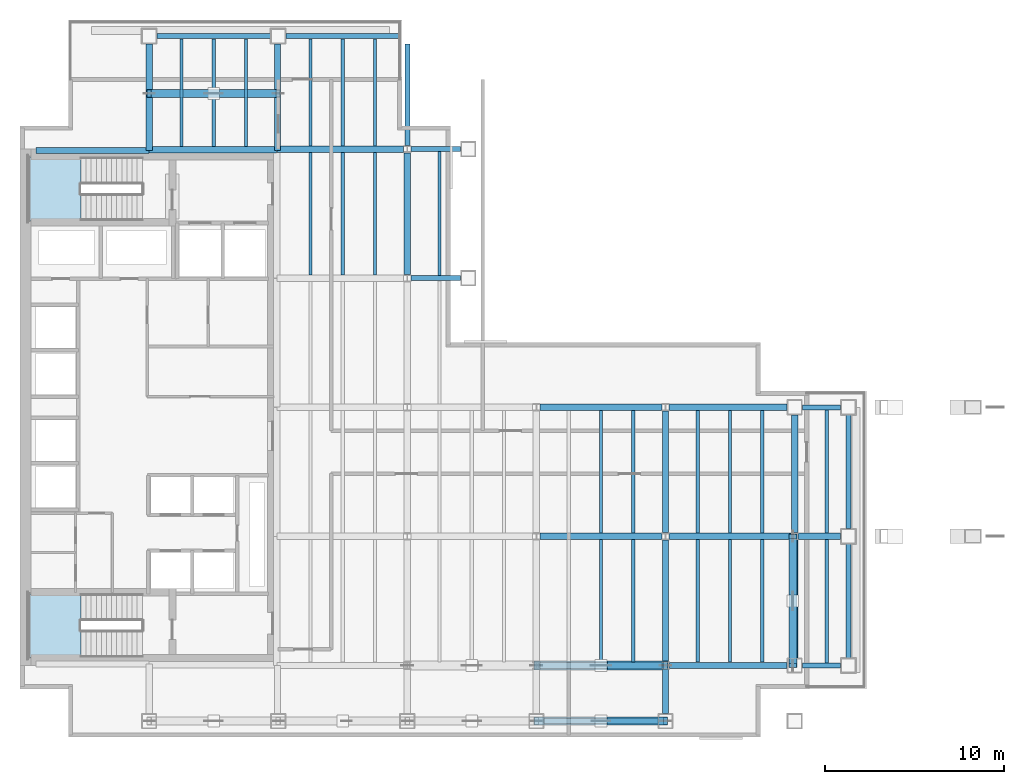
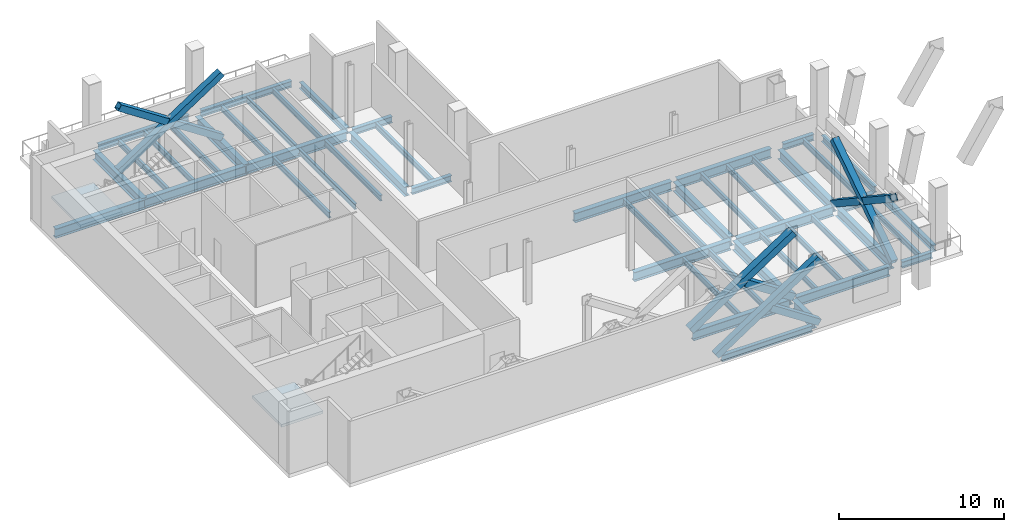
# One storey, part 2 of 8: 50 beams, 10 members, 2 slabs, 2 elements without a shape of their own.
"""IFC4 building model written with IfcOpenShell, lengths in metres."""

from ifc_helpers import new_model, si_unit, direction, frame, origin, origin_2d, place, context, subcontext, project, spatial, polyline, hollow_rectangle, i_section, outline, extrude, material, layer, layer_set, material_profile, profile_set, type_object, element, aggregate, save


model = new_model("IFC4")

# Units and contexts
model_context = context("Model", 3, precision=1e-05, world=origin(), true_north=direction((0.0, 1.0)))
body_context = subcontext(model_context, "Body", "Model", "MODEL_VIEW")
ifc_project = project(units=[si_unit("LENGTHUNIT", "METRE"), si_unit("AREAUNIT", "SQUARE_METRE"), si_unit("VOLUMEUNIT", "CUBIC_METRE"), si_unit("PLANEANGLEUNIT", "RADIAN"), si_unit("MASSUNIT", "GRAM", prefix="KILO")], contexts=[model_context])

# Site, building, storey
site_placement = place(None, origin())
site = spatial("IfcSite", under=ifc_project, at=site_placement, CompositionType="ELEMENT")
building_placement = place(site_placement, origin())
building = spatial("IfcBuilding", under=site, at=building_placement, Name="Cobrela Telecom Tower", CompositionType="ELEMENT")
storey_placement = place(building_placement, frame((0.0, 0.0, 163.800048828125)))
storey = spatial("IfcBuildingStorey", under=building, at=storey_placement, Name="L41", CompositionType="ELEMENT", Elevation=163.800048828125)

# Beams
ifc_material_1 = material(Name="Steel ASTM A992 Grade 50", Category="steel")
ifc_material_profile_1 = material_profile(ifc_material_1, i_section(OverallWidth=0.35595703125, OverallDepth=0.696044921875, WebThickness=0.015380859375, FlangeThickness=0.024658203125, FilletRadius=0.01806640625, at=origin_2d()), Name="W27X146")
ifc_profile_set_1 = profile_set([ifc_material_profile_1], Name="Steel ASTM A992 Grade 50")
beam_type_1 = type_object("IfcBeamType", Name="BM-GIRD-05", PredefinedType="USERDEFINED", material=ifc_profile_set_1)
beam_1_placement = place(storey_placement, frame((29.00439453125, 7.199951171875, -0.6181640625), z_axis=(1.0, 0.0, 0.0), x_axis=(0.0, 1.0, 0.0)))
element("IfcBeam", 1, at=beam_1_placement, inside=storey, type_object=beam_type_1, Name="L41 Primary Girder X09", ObjectType="GIRDER", PredefinedType="USERDEFINED", context=body_context, shape_type="SweptSolid", body=[
    extrude(i_section(OverallWidth=0.35595703125, OverallDepth=0.696044921875, WebThickness=0.015380859375, FlangeThickness=0.024658203125, FilletRadius=0.01806640625, at=origin_2d()), origin(), (0.0, 0.0, 1.0), 6.791015625),
])
beam_2_placement = place(storey_placement, frame((36.20458984375, 7.199951171875, -0.6181640625), z_axis=(1.0, 0.0, 0.0), x_axis=(0.0, 1.0, 0.0)))
element("IfcBeam", 2, at=beam_2_placement, inside=storey, type_object=beam_type_1, Name="L41 Primary Girder X10", ObjectType="GIRDER", PredefinedType="USERDEFINED", context=body_context, shape_type="SweptSolid", body=[
    extrude(i_section(OverallWidth=0.35595703125, OverallDepth=0.696044921875, WebThickness=0.015380859375, FlangeThickness=0.024658203125, FilletRadius=0.01806640625, at=origin_2d()), origin(), (0.0, 0.0, 1.0), 6.5654296875),
])
for number, where, z_axis, x_axis, name in (
    (3, (29.00439453125, 14.39990234375, -0.6181640625), (1.0, 0.0, 0.0), (0.0, 1.0, 0.0), "L41 Primary Girder X14"),
    (4, (36.20458984375, 14.39990234375, -0.6181640625), (1.0, 0.0, 0.0), (0.0, 1.0, 0.0), "L41 Primary Girder X15"),
):
    element("IfcBeam", number, at=place(storey_placement, frame(where, z_axis=z_axis, x_axis=x_axis)), inside=storey, type_object=beam_type_1, Name=name, ObjectType="GIRDER", PredefinedType="USERDEFINED", context=body_context, shape_type="SweptSolid", body=[
        extrude(i_section(OverallWidth=0.35595703125, OverallDepth=0.696044921875, WebThickness=0.015380859375, FlangeThickness=0.024658203125, FilletRadius=0.01806640625, at=origin_2d()), origin(), (0.0, 0.0, 1.0), 6.791015625),
    ])
beam_3_placement = place(storey_placement, frame((43.404541015625, 14.39990234375, -0.6181640625), z_axis=(1.0, 0.0, 0.0), x_axis=(0.0, 1.0, 0.0)))
element("IfcBeam", 5, at=beam_3_placement, inside=storey, type_object=beam_type_1, Name="L41 Primary Girder X16", ObjectType="GIRDER", PredefinedType="USERDEFINED", context=body_context, shape_type="SweptSolid", body=[
    extrude(i_section(OverallWidth=0.35595703125, OverallDepth=0.696044921875, WebThickness=0.015380859375, FlangeThickness=0.024658203125, FilletRadius=0.01806640625, at=origin_2d()), origin(), (0.0, 0.0, 1.0), 2.365478515625),
])
beam_4_placement = place(storey_placement, frame((29.00439453125, 21.60009765625, -0.6181640625), z_axis=(1.0, 0.0, 0.0), x_axis=(0.0, 1.0, 0.0)))
element("IfcBeam", 6, at=beam_4_placement, inside=storey, type_object=beam_type_1, Name="L41 Primary Girder X19", ObjectType="GIRDER", PredefinedType="USERDEFINED", context=body_context, shape_type="SweptSolid", body=[
    extrude(i_section(OverallWidth=0.35595703125, OverallDepth=0.696044921875, WebThickness=0.015380859375, FlangeThickness=0.024658203125, FilletRadius=0.01806640625, at=origin_2d()), origin(), (0.0, 0.0, 1.0), 6.791015625),
])
beam_5_placement = place(storey_placement, frame((36.20458984375, 21.60009765625, -0.6181640625), z_axis=(1.0, 0.0, 0.0), x_axis=(0.0, 1.0, 0.0)))
element("IfcBeam", 7, at=beam_5_placement, inside=storey, type_object=beam_type_1, Name="L41 Primary Girder X20", ObjectType="GIRDER", PredefinedType="USERDEFINED", context=body_context, shape_type="SweptSolid", body=[
    extrude(i_section(OverallWidth=0.35595703125, OverallDepth=0.696044921875, WebThickness=0.015380859375, FlangeThickness=0.024658203125, FilletRadius=0.01806640625, at=origin_2d()), origin(), (0.0, 0.0, 1.0), 6.5654296875),
])
beam_6_placement = place(storey_placement, frame((0.905029296875, 35.919921875, -0.6181640625), z_axis=(1.0, 0.0, 0.0), x_axis=(0.0, 1.0, 0.0)))
element("IfcBeam", 8, at=beam_6_placement, inside=storey, type_object=beam_type_1, Name="L41 Primary Girder X24", ObjectType="GIRDER", PredefinedType="USERDEFINED", context=body_context, shape_type="SweptSolid", body=[
    extrude(i_section(OverallWidth=0.35595703125, OverallDepth=0.696044921875, WebThickness=0.015380859375, FlangeThickness=0.024658203125, FilletRadius=0.01806640625, at=origin_2d()), origin(), (0.0, 0.0, 1.0), 6.2900390625),
])
beam_7_placement = place(storey_placement, frame((7.205078125, 35.9599609375, -0.6181640625), z_axis=(1.0, 0.0, 0.0), x_axis=(0.0, 1.0, 0.0)))
element("IfcBeam", 9, at=beam_7_placement, inside=storey, type_object=beam_type_1, Name="L41 Primary Girder X25", ObjectType="GIRDER", PredefinedType="USERDEFINED", context=body_context, shape_type="SweptSolid", body=[
    extrude(i_section(OverallWidth=0.35595703125, OverallDepth=0.696044921875, WebThickness=0.015380859375, FlangeThickness=0.024658203125, FilletRadius=0.01806640625, at=origin_2d()), origin(), (0.0, 0.0, 1.0), 7.10986328125),
])
beam_8_placement = place(storey_placement, frame((14.324951171875, 36.0, -0.6181640625), z_axis=(1.0, 0.0, 0.0), x_axis=(0.0, 1.0, 0.0)))
element("IfcBeam", 10, at=beam_8_placement, inside=storey, type_object=beam_type_1, Name="L41 Primary Girder X26", ObjectType="GIRDER", PredefinedType="USERDEFINED", context=body_context, shape_type="SweptSolid", body=[
    extrude(i_section(OverallWidth=0.35595703125, OverallDepth=0.696044921875, WebThickness=0.015380859375, FlangeThickness=0.024658203125, FilletRadius=0.01806640625, at=origin_2d()), origin(), (0.0, 0.0, 1.0), 7.070556640625),
])
for number, where, z_axis, x_axis, name in (
    (11, (7.199951171875, 35.925048828125, -0.6181640625), (0.0, 1.0, 0.0), (-1.0, 0.0, 0.0), "L41 Primary Girder Y31"),
    (12, (14.360107421875, 35.925048828125, -0.6181640625), (0.0, 1.0, 0.0), (-1.0, 0.0, 0.0), "L41 Primary Girder Y37"),
):
    element("IfcBeam", number, at=place(storey_placement, frame(where, z_axis=z_axis, x_axis=x_axis)), inside=storey, type_object=beam_type_1, Name=name, ObjectType="GIRDER", PredefinedType="USERDEFINED", context=body_context, shape_type="SweptSolid", body=[
        extrude(i_section(OverallWidth=0.35595703125, OverallDepth=0.696044921875, WebThickness=0.015380859375, FlangeThickness=0.024658203125, FilletRadius=0.01806640625, at=origin_2d()), origin(), (0.0, 0.0, 1.0), 5.945068359375),
    ])
beam_9_placement = place(storey_placement, frame((21.60009765625, 29.00439453125, -0.6181640625), z_axis=(0.0, 1.0, 0.0), x_axis=(-1.0, 0.0, 0.0)))
element("IfcBeam", 13, at=beam_9_placement, inside=storey, type_object=beam_type_1, Name="L41 Primary Girder Y42", ObjectType="GIRDER", PredefinedType="USERDEFINED", context=body_context, shape_type="SweptSolid", body=[
    extrude(i_section(OverallWidth=0.35595703125, OverallDepth=0.696044921875, WebThickness=0.015380859375, FlangeThickness=0.024658203125, FilletRadius=0.01806640625, at=origin_2d()), origin(), (0.0, 0.0, 1.0), 6.791015625),
])
beam_10_placement = place(storey_placement, frame((36.0, 4.530029296875, -0.6181640625), z_axis=(0.0, 1.0, 0.0), x_axis=(-1.0, 0.0, 0.0)))
element("IfcBeam", 14, at=beam_10_placement, inside=storey, type_object=beam_type_1, Name="L41 Primary Girder Y47", ObjectType="GIRDER", PredefinedType="USERDEFINED", context=body_context, shape_type="SweptSolid", body=[
    extrude(i_section(OverallWidth=0.35595703125, OverallDepth=0.696044921875, WebThickness=0.015380859375, FlangeThickness=0.024658203125, FilletRadius=0.01806640625, at=origin_2d()), origin(), (0.0, 0.0, 1.0), 2.465576171875),
])
for number, where, z_axis, x_axis, name in (
    (15, (36.0, 7.404541015625, -0.6181640625), (0.0, 1.0, 0.0), (-1.0, 0.0, 0.0), "L41 Primary Girder Y48"),
    (16, (36.0, 14.6044921875, -0.6181640625), (0.0, 1.0, 0.0), (-1.0, 0.0, 0.0), "L41 Primary Girder Y49"),
):
    element("IfcBeam", number, at=place(storey_placement, frame(where, z_axis=z_axis, x_axis=x_axis)), inside=storey, type_object=beam_type_1, Name=name, ObjectType="GIRDER", PredefinedType="USERDEFINED", context=body_context, shape_type="SweptSolid", body=[
        extrude(i_section(OverallWidth=0.35595703125, OverallDepth=0.696044921875, WebThickness=0.015380859375, FlangeThickness=0.024658203125, FilletRadius=0.01806640625, at=origin_2d()), origin(), (0.0, 0.0, 1.0), 6.791015625),
    ])
beam_11_placement = place(storey_placement, frame((43.199951171875, 7.6298828125, -0.6181640625), z_axis=(0.0, 1.0, 0.0), x_axis=(-1.0, 0.0, 0.0)))
element("IfcBeam", 17, at=beam_11_placement, inside=storey, type_object=beam_type_1, Name="L41 Primary Girder Y50", ObjectType="GIRDER", PredefinedType="USERDEFINED", context=body_context, shape_type="SweptSolid", body=[
    extrude(i_section(OverallWidth=0.35595703125, OverallDepth=0.696044921875, WebThickness=0.015380859375, FlangeThickness=0.024658203125, FilletRadius=0.01806640625, at=origin_2d()), origin(), (0.0, 0.0, 1.0), 6.565673828125),
])
beam_12_placement = place(storey_placement, frame((43.199951171875, 14.6044921875, -0.6181640625), z_axis=(0.0, 1.0, 0.0), x_axis=(-1.0, 0.0, 0.0)))
element("IfcBeam", 18, at=beam_12_placement, inside=storey, type_object=beam_type_1, Name="L41 Primary Girder Y51", ObjectType="GIRDER", PredefinedType="USERDEFINED", context=body_context, shape_type="SweptSolid", body=[
    extrude(i_section(OverallWidth=0.35595703125, OverallDepth=0.696044921875, WebThickness=0.015380859375, FlangeThickness=0.024658203125, FilletRadius=0.01806640625, at=origin_2d()), origin(), (0.0, 0.0, 1.0), 6.5654296875),
])
ifc_material_profile_2 = material_profile(ifc_material_1, i_section(OverallWidth=0.179931640625, OverallDepth=0.4169921875, WebThickness=0.010986328125, FlangeThickness=0.01806640625, FilletRadius=0.011962890625, at=origin_2d()), Name="W16X57")
ifc_profile_set_2 = profile_set([ifc_material_profile_2], Name="Steel ASTM A992 Grade 50")
beam_type_2 = type_object("IfcBeamType", Name="BM-JOIST-04", PredefinedType="JOIST", material=ifc_profile_set_2)
for number, where, z_axis, x_axis, name in (
    (19, (9.0, 36.14306640625, -0.478515625), (0.0, 1.0, 0.0), (-1.0, 0.0, 0.0), "L41 Secondary Composite Floor Beam J01"),
    (20, (10.800048828125, 36.14306640625, -0.478515625), (0.0, 1.0, 0.0), (-1.0, 0.0, 0.0), "L41 Secondary Composite Floor Beam J02"),
    (21, (12.60009765625, 36.14306640625, -0.478515625), (0.0, 1.0, 0.0), (-1.0, 0.0, 0.0), "L41 Secondary Composite Floor Beam J03"),
):
    element("IfcBeam", number, at=place(storey_placement, frame(where, z_axis=z_axis, x_axis=x_axis)), inside=storey, type_object=beam_type_2, Name=name, PredefinedType="JOIST", context=body_context, shape_type="SweptSolid", body=[
        extrude(i_section(OverallWidth=0.179931640625, OverallDepth=0.4169921875, WebThickness=0.010986328125, FlangeThickness=0.01806640625, FilletRadius=0.011962890625, at=origin_2d()), origin(), (0.0, 0.0, 1.0), 6.010986328125),
    ])
beam_13_placement = place(storey_placement, frame((16.199951171875, 28.98291015625, -0.478515625), z_axis=(0.0, 1.0, 0.0), x_axis=(-1.0, 0.0, 0.0)))
element("IfcBeam", 22, at=beam_13_placement, inside=storey, type_object=beam_type_2, Name="L41 Secondary Composite Floor Beam J07", PredefinedType="JOIST", context=body_context, shape_type="SweptSolid", body=[
    extrude(i_section(OverallWidth=0.179931640625, OverallDepth=0.4169921875, WebThickness=0.010986328125, FlangeThickness=0.01806640625, FilletRadius=0.011962890625, at=origin_2d()), origin(), (0.0, 0.0, 1.0), 6.833984375),
])
beam_14_placement = place(storey_placement, frame((16.199951171875, 36.18310546875, -0.478515625), z_axis=(0.0, 1.0, 0.0), x_axis=(-1.0, 0.0, 0.0)))
element("IfcBeam", 23, at=beam_14_placement, inside=storey, type_object=beam_type_2, Name="L41 Secondary Composite Floor Beam J08", PredefinedType="JOIST", context=body_context, shape_type="SweptSolid", body=[
    extrude(i_section(OverallWidth=0.179931640625, OverallDepth=0.4169921875, WebThickness=0.010986328125, FlangeThickness=0.01806640625, FilletRadius=0.011962890625, at=origin_2d()), origin(), (0.0, 0.0, 1.0), 5.970947265625),
])
beam_15_placement = place(storey_placement, frame((18.0, 28.98291015625, -0.478515625), z_axis=(0.0, 1.0, 0.0), x_axis=(-1.0, 0.0, 0.0)))
element("IfcBeam", 24, at=beam_15_placement, inside=storey, type_object=beam_type_2, Name="L41 Secondary Composite Floor Beam J12", PredefinedType="JOIST", context=body_context, shape_type="SweptSolid", body=[
    extrude(i_section(OverallWidth=0.179931640625, OverallDepth=0.4169921875, WebThickness=0.010986328125, FlangeThickness=0.01806640625, FilletRadius=0.011962890625, at=origin_2d()), origin(), (0.0, 0.0, 1.0), 6.833984375),
])
beam_16_placement = place(storey_placement, frame((18.0, 36.18310546875, -0.478515625), z_axis=(0.0, 1.0, 0.0), x_axis=(-1.0, 0.0, 0.0)))
element("IfcBeam", 25, at=beam_16_placement, inside=storey, type_object=beam_type_2, Name="L41 Secondary Composite Floor Beam J13", PredefinedType="JOIST", context=body_context, shape_type="SweptSolid", body=[
    extrude(i_section(OverallWidth=0.179931640625, OverallDepth=0.4169921875, WebThickness=0.010986328125, FlangeThickness=0.01806640625, FilletRadius=0.011962890625, at=origin_2d()), origin(), (0.0, 0.0, 1.0), 5.970947265625),
])
beam_17_placement = place(storey_placement, frame((19.800048828125, 28.98291015625, -0.478515625), z_axis=(0.0, 1.0, 0.0), x_axis=(-1.0, 0.0, 0.0)))
element("IfcBeam", 26, at=beam_17_placement, inside=storey, type_object=beam_type_2, Name="L41 Secondary Composite Floor Beam J17", PredefinedType="JOIST", context=body_context, shape_type="SweptSolid", body=[
    extrude(i_section(OverallWidth=0.179931640625, OverallDepth=0.4169921875, WebThickness=0.010986328125, FlangeThickness=0.01806640625, FilletRadius=0.011962890625, at=origin_2d()), origin(), (0.0, 0.0, 1.0), 6.833984375),
])
beam_18_placement = place(storey_placement, frame((19.800048828125, 36.18310546875, -0.478515625), z_axis=(0.0, 1.0, 0.0), x_axis=(-1.0, 0.0, 0.0)))
element("IfcBeam", 27, at=beam_18_placement, inside=storey, type_object=beam_type_2, Name="L41 Secondary Composite Floor Beam J18", PredefinedType="JOIST", context=body_context, shape_type="SweptSolid", body=[
    extrude(i_section(OverallWidth=0.179931640625, OverallDepth=0.4169921875, WebThickness=0.010986328125, FlangeThickness=0.01806640625, FilletRadius=0.011962890625, at=origin_2d()), origin(), (0.0, 0.0, 1.0), 5.970947265625),
])
beam_19_placement = place(storey_placement, frame((23.39990234375, 28.946044921875, -0.478515625), z_axis=(0.0, 1.0, 0.0), x_axis=(-1.0, 0.0, 0.0)))
element("IfcBeam", 28, at=beam_19_placement, inside=storey, type_object=beam_type_2, Name="L41 Secondary Composite Floor Beam J22", PredefinedType="JOIST", context=body_context, shape_type="SweptSolid", body=[
    extrude(i_section(OverallWidth=0.179931640625, OverallDepth=0.4169921875, WebThickness=0.010986328125, FlangeThickness=0.01806640625, FilletRadius=0.011962890625, at=origin_2d()), origin(), (0.0, 0.0, 1.0), 6.907958984375),
])
for number, where, z_axis, x_axis, name in (
    (29, (32.39990234375, 7.383056640625, -0.478515625), (0.0, 1.0, 0.0), (-1.0, 0.0, 0.0), "L41 Secondary Composite Floor Beam J29"),
    (30, (32.39990234375, 14.5830078125, -0.478515625), (0.0, 1.0, 0.0), (-1.0, 0.0, 0.0), "L41 Secondary Composite Floor Beam J30"),
    (31, (34.199951171875, 7.383056640625, -0.478515625), (0.0, 1.0, 0.0), (-1.0, 0.0, 0.0), "L41 Secondary Composite Floor Beam J31"),
    (32, (34.199951171875, 14.5830078125, -0.478515625), (0.0, 1.0, 0.0), (-1.0, 0.0, 0.0), "L41 Secondary Composite Floor Beam J32"),
    (33, (37.800048828125, 7.383056640625, -0.478515625), (0.0, 1.0, 0.0), (-1.0, 0.0, 0.0), "L41 Secondary Composite Floor Beam J33"),
    (34, (37.800048828125, 14.5830078125, -0.478515625), (0.0, 1.0, 0.0), (-1.0, 0.0, 0.0), "L41 Secondary Composite Floor Beam J34"),
    (35, (39.60009765625, 7.383056640625, -0.478515625), (0.0, 1.0, 0.0), (-1.0, 0.0, 0.0), "L41 Secondary Composite Floor Beam J35"),
    (36, (39.60009765625, 14.5830078125, -0.478515625), (0.0, 1.0, 0.0), (-1.0, 0.0, 0.0), "L41 Secondary Composite Floor Beam J36"),
    (37, (41.39990234375, 7.383056640625, -0.478515625), (0.0, 1.0, 0.0), (-1.0, 0.0, 0.0), "L41 Secondary Composite Floor Beam J37"),
    (38, (41.39990234375, 14.5830078125, -0.478515625), (0.0, 1.0, 0.0), (-1.0, 0.0, 0.0), "L41 Secondary Composite Floor Beam J38"),
):
    element("IfcBeam", number, at=place(storey_placement, frame(where, z_axis=z_axis, x_axis=x_axis)), inside=storey, type_object=beam_type_2, Name=name, PredefinedType="JOIST", context=body_context, shape_type="SweptSolid", body=[
        extrude(i_section(OverallWidth=0.179931640625, OverallDepth=0.4169921875, WebThickness=0.010986328125, FlangeThickness=0.01806640625, FilletRadius=0.011962890625, at=origin_2d()), origin(), (0.0, 0.0, 1.0), 6.833984375),
    ])
for number, where, z_axis, x_axis, name in (
    (39, (45.0, 7.345947265625, -0.478515625), (0.0, 1.0, 0.0), (-1.0, 0.0, 0.0), "L41 Secondary Composite Floor Beam J39"),
    (40, (45.0, 14.5830078125, -0.478515625), (0.0, 1.0, 0.0), (-1.0, 0.0, 0.0), "L41 Secondary Composite Floor Beam J40"),
):
    element("IfcBeam", number, at=place(storey_placement, frame(where, z_axis=z_axis, x_axis=x_axis)), inside=storey, type_object=beam_type_2, Name=name, PredefinedType="JOIST", context=body_context, shape_type="SweptSolid", body=[
        extrude(i_section(OverallWidth=0.179931640625, OverallDepth=0.4169921875, WebThickness=0.010986328125, FlangeThickness=0.01806640625, FilletRadius=0.011962890625, at=origin_2d()), origin(), (0.0, 0.0, 1.0), 6.87109375),
    ])
ifc_material_profile_3 = material_profile(ifc_material_1, i_section(OverallWidth=0.281982421875, OverallDepth=0.467041015625, WebThickness=0.01220703125, FlangeThickness=0.01953125, FilletRadius=0.012939453125, at=origin_2d()), Name="W18X86")
ifc_profile_set_3 = profile_set([ifc_material_profile_3], Name="Steel ASTM A992 Grade 50")
beam_type_3 = type_object("IfcBeamType", Name="BM-SPAND-04", PredefinedType="SPANDREL", material=ifc_profile_set_3)
beam_20_placement = place(storey_placement, frame((29.22998046875, 4.10009765625, -0.503662109375), z_axis=(1.0, 0.0, 0.0), x_axis=(0.0, 1.0, 0.0)))
element("IfcBeam", 41, at=beam_20_placement, inside=storey, type_object=beam_type_3, Name="L41 Perimeter Spandrel X04", PredefinedType="SPANDREL", context=body_context, shape_type="SweptSolid", body=[
    extrude(i_section(OverallWidth=0.281982421875, OverallDepth=0.467041015625, WebThickness=0.01220703125, FlangeThickness=0.01953125, FilletRadius=0.012939453125, at=origin_2d()), origin(), (0.0, 0.0, 1.0), 6.340087890625),
])
for number, where, z_axis, x_axis, name in (
    (42, (43.6298828125, 7.199951171875, -0.503662109375), (1.0, 0.0, 0.0), (0.0, 1.0, 0.0), "L41 Perimeter Spandrel X11"),
    (43, (43.6298828125, 21.60009765625, -0.503662109375), (1.0, 0.0, 0.0), (0.0, 1.0, 0.0), "L41 Perimeter Spandrel X21"),
):
    element("IfcBeam", number, at=place(storey_placement, frame(where, z_axis=z_axis, x_axis=x_axis)), inside=storey, type_object=beam_type_3, Name=name, PredefinedType="SPANDREL", context=body_context, shape_type="SweptSolid", body=[
        extrude(i_section(OverallWidth=0.281982421875, OverallDepth=0.467041015625, WebThickness=0.01220703125, FlangeThickness=0.01953125, FilletRadius=0.012939453125, at=origin_2d()), origin(), (0.0, 0.0, 1.0), 2.14013671875),
    ])
for number, where, z_axis, x_axis, name in (
    (44, (21.804443359375, 28.800048828125, -0.503662109375), (1.0, 0.0, 0.0), (0.0, 1.0, 0.0), "L41 Perimeter Spandrel X23"),
    (45, (21.804443359375, 36.0, -0.503662109375), (1.0, 0.0, 0.0), (0.0, 1.0, 0.0), "L41 Perimeter Spandrel X27"),
):
    element("IfcBeam", number, at=place(storey_placement, frame(where, z_axis=z_axis, x_axis=x_axis)), inside=storey, type_object=beam_type_3, Name=name, PredefinedType="SPANDREL", context=body_context, shape_type="SweptSolid", body=[
        extrude(i_section(OverallWidth=0.281982421875, OverallDepth=0.467041015625, WebThickness=0.01220703125, FlangeThickness=0.01953125, FilletRadius=0.012939453125, at=origin_2d()), origin(), (0.0, 0.0, 1.0), 2.765625),
    ])
beam_21_placement = place(storey_placement, frame((7.6298828125, 42.300048828125, -0.503662109375), z_axis=(1.0, 0.0, 0.0), x_axis=(0.0, 1.0, 0.0)))
element("IfcBeam", 46, at=beam_21_placement, inside=storey, type_object=beam_type_3, Name="L41 Perimeter Spandrel X28", PredefinedType="SPANDREL", context=body_context, shape_type="SweptSolid", body=[
    extrude(i_section(OverallWidth=0.281982421875, OverallDepth=0.467041015625, WebThickness=0.01220703125, FlangeThickness=0.01953125, FilletRadius=0.012939453125, at=origin_2d()), origin(), (0.0, 0.0, 1.0), 6.340087890625),
])
beam_22_placement = place(storey_placement, frame((14.830078125, 42.300048828125, -0.503662109375), z_axis=(1.0, 0.0, 0.0), x_axis=(0.0, 1.0, 0.0)))
element("IfcBeam", 47, at=beam_22_placement, inside=storey, type_object=beam_type_3, Name="L41 Perimeter Spandrel X29", PredefinedType="SPANDREL", context=body_context, shape_type="SweptSolid", body=[
    extrude(i_section(OverallWidth=0.281982421875, OverallDepth=0.467041015625, WebThickness=0.01220703125, FlangeThickness=0.01953125, FilletRadius=0.012939453125, at=origin_2d()), origin(), (0.0, 0.0, 1.0), 6.33984375),
])
beam_23_placement = place(storey_placement, frame((21.60009765625, 36.20458984375, -0.503662109375), z_axis=(0.0, 1.0, 0.0), x_axis=(-1.0, 0.0, 0.0)))
element("IfcBeam", 48, at=beam_23_placement, inside=storey, type_object=beam_type_3, Name="L41 Perimeter Spandrel Y43", PredefinedType="SPANDREL", context=body_context, shape_type="SweptSolid", body=[
    extrude(i_section(OverallWidth=0.281982421875, OverallDepth=0.467041015625, WebThickness=0.01220703125, FlangeThickness=0.01953125, FilletRadius=0.012939453125, at=origin_2d()), origin(), (0.0, 0.0, 1.0), 5.66552734375),
])
beam_24_placement = place(storey_placement, frame((46.199951171875, 7.6298828125, -0.503662109375), z_axis=(0.0, 1.0, 0.0), x_axis=(-1.0, 0.0, 0.0)))
element("IfcBeam", 49, at=beam_24_placement, inside=storey, type_object=beam_type_3, Name="L41 Perimeter Spandrel Y52", PredefinedType="SPANDREL", context=body_context, shape_type="SweptSolid", body=[
    extrude(i_section(OverallWidth=0.281982421875, OverallDepth=0.467041015625, WebThickness=0.01220703125, FlangeThickness=0.01953125, FilletRadius=0.012939453125, at=origin_2d()), origin(), (0.0, 0.0, 1.0), 6.340087890625),
])
beam_25_placement = place(storey_placement, frame((46.199951171875, 14.830078125, -0.503662109375), z_axis=(0.0, 1.0, 0.0), x_axis=(-1.0, 0.0, 0.0)))
element("IfcBeam", 50, at=beam_25_placement, inside=storey, type_object=beam_type_3, Name="L41 Perimeter Spandrel Y53", PredefinedType="SPANDREL", context=body_context, shape_type="SweptSolid", body=[
    extrude(i_section(OverallWidth=0.281982421875, OverallDepth=0.467041015625, WebThickness=0.01220703125, FlangeThickness=0.01953125, FilletRadius=0.012939453125, at=origin_2d()), origin(), (0.0, 0.0, 1.0), 6.33984375),
])

# Members
ifc_material_2 = material(Name="Steel ASTM A572 Grade 50", Category="steel")
ifc_material_profile_4 = material_profile(ifc_material_2, hollow_rectangle(XDim=0.449951171875, YDim=0.449951171875, WallThickness=0.02197265625, at=origin_2d()), Name="HSS 450x450x22")
ifc_profile_set_4 = profile_set([ifc_material_profile_4], Name="Steel ASTM A572 Grade 50")
member_type_1 = type_object("IfcMemberType", Name="MBR-BELT", PredefinedType="BRACE", material=ifc_profile_set_4)
member_1_placement = place(storey_placement, frame((28.800048828125, 4.10009765625, -0.14013671875), z_axis=(0.835247643706, 0.0, 0.549873961634), x_axis=(0.0, 1.0, 0.0)))
element("IfcMember", 51, at=member_1_placement, inside=storey, type_object=member_type_1, Name="L41 South Perimeter Belt Truss Brace 06 Continuous A", PredefinedType="BRACE", context=body_context, shape_type="SweptSolid", body=[
    extrude(hollow_rectangle(XDim=0.449951171875, YDim=0.449951171875, WallThickness=0.02197265625, at=origin_2d()), origin(), (0.0, 0.0, 1.0), 8.6201171875),
])
member_2_placement = place(storey_placement, frame((36.0, 4.10009765625, -0.14013671875), z_axis=(-0.835238934653, 0.0, 0.549887190285), x_axis=(0.0, -1.0, 0.0)))
element("IfcMember", 52, at=member_2_placement, inside=storey, type_object=member_type_1, Name="L41 South Perimeter Belt Truss Brace 06 Split B1", PredefinedType="BRACE", context=body_context, shape_type="SweptSolid", body=[
    extrude(hollow_rectangle(XDim=0.449951171875, YDim=0.449951171875, WallThickness=0.02197265625, at=origin_2d()), origin(), (0.0, 0.0, 1.0), 4.05810546875),
])
member_3_placement = place(storey_placement, frame((7.199951171875, 39.10009765625, -0.14013671875), z_axis=(0.835247643706, 0.0, 0.549873961634), x_axis=(0.0, 1.0, 0.0)))
element("IfcMember", 53, at=member_3_placement, inside=storey, type_object=member_type_1, Name="L41 North Perimeter Belt Truss Brace 07 Continuous A", PredefinedType="BRACE", context=body_context, shape_type="SweptSolid", body=[
    extrude(hollow_rectangle(XDim=0.449951171875, YDim=0.449951171875, WallThickness=0.02197265625, at=origin_2d()), origin(), (0.0, 0.0, 1.0), 8.6201171875),
])
for number, where, z_axis, x_axis, name in (
    (54, (14.39990234375, 39.10009765625, -0.14013671875), (-0.835238934653, 0.0, 0.549887190285), (0.0, -1.0, 0.0), "L41 North Perimeter Belt Truss Brace 07 Split B1"),
    (55, (10.589599609375, 39.10009765625, 2.36865234375), (-0.835284754685, 0.0, 0.549817586651), (0.0, -1.0, 0.0), "L41 North Perimeter Belt Truss Brace 07 Split B2"),
):
    element("IfcMember", number, at=place(storey_placement, frame(where, z_axis=z_axis, x_axis=x_axis)), inside=storey, type_object=member_type_1, Name=name, PredefinedType="BRACE", context=body_context, shape_type="SweptSolid", body=[
        extrude(hollow_rectangle(XDim=0.449951171875, YDim=0.449951171875, WallThickness=0.02197265625, at=origin_2d()), origin(), (0.0, 0.0, 1.0), 4.05810546875),
    ])
member_4_placement = place(storey_placement, frame((43.10009765625, 7.199951171875, -0.14013671875), z_axis=(0.0, 0.835247643706, 0.549873961634), x_axis=(-1.0, 0.0, 0.0)))
element("IfcMember", 56, at=member_4_placement, inside=storey, type_object=member_type_1, Name="L41 East Perimeter Belt Truss Brace 08 Continuous A", PredefinedType="BRACE", context=body_context, shape_type="SweptSolid", body=[
    extrude(hollow_rectangle(XDim=0.449951171875, YDim=0.449951171875, WallThickness=0.02197265625, at=origin_2d()), origin(), (0.0, 0.0, 1.0), 8.6201171875),
])
for number, where, z_axis, x_axis, name in (
    (57, (43.10009765625, 14.39990234375, -0.14013671875), (0.0, -0.835238934653, 0.549887190285), (1.0, 0.0, 0.0), "L41 East Perimeter Belt Truss Brace 08 Split B1"),
    (58, (43.10009765625, 10.589599609375, 2.36865234375), (0.0, -0.835284754685, 0.549817586651), (1.0, 0.0, 0.0), "L41 East Perimeter Belt Truss Brace 08 Split B2"),
):
    element("IfcMember", number, at=place(storey_placement, frame(where, z_axis=z_axis, x_axis=x_axis)), inside=storey, type_object=member_type_1, Name=name, PredefinedType="BRACE", context=body_context, shape_type="SweptSolid", body=[
        extrude(hollow_rectangle(XDim=0.449951171875, YDim=0.449951171875, WallThickness=0.02197265625, at=origin_2d()), origin(), (0.0, 0.0, 1.0), 4.05810546875),
    ])
ifc_material_profile_5 = material_profile(ifc_material_2, hollow_rectangle(XDim=0.5, YDim=0.5, WallThickness=0.02490234375, at=origin_2d()), Name="HSS 500x500x25")
ifc_profile_set_5 = profile_set([ifc_material_profile_5], Name="Steel ASTM A572 Grade 50")
member_type_2 = type_object("IfcMemberType", Name="MBR-OUTRIGGER", PredefinedType="BRACE", material=ifc_profile_set_5)
member_5_placement = place(storey_placement, frame((28.800048828125, 7.199951171875, -0.14013671875), z_axis=(0.835247643706, 0.0, 0.549873961634), x_axis=(0.0, 1.0, 0.0)))
element("IfcMember", 59, at=member_5_placement, inside=storey, type_object=member_type_2, Name="L41 Outrigger Truss Brace 02 Continuous A", PredefinedType="BRACE", context=body_context, shape_type="SweptSolid", body=[
    extrude(hollow_rectangle(XDim=0.5, YDim=0.5, WallThickness=0.02490234375, at=origin_2d()), origin(), (0.0, 0.0, 1.0), 8.6201171875),
])
member_6_placement = place(storey_placement, frame((36.0, 7.199951171875, -0.14013671875), z_axis=(-0.835251618312, 0.0, 0.54986792424), x_axis=(0.0, -1.0, 0.0)))
element("IfcMember", 60, at=member_6_placement, inside=storey, type_object=member_type_2, Name="L41 Outrigger Truss Brace 02 Split B1", PredefinedType="BRACE", context=body_context, shape_type="SweptSolid", body=[
    extrude(hollow_rectangle(XDim=0.5, YDim=0.5, WallThickness=0.02490234375, at=origin_2d()), origin(), (0.0, 0.0, 1.0), 4.0302734375),
])

# Stair, slab
ifc_material_3 = material(Name="Concrete C40/50", Category="concrete")
stair_type = type_object("IfcStairType", Name="STAIR-CORE", PredefinedType="HALF_TURN_STAIR", material=ifc_material_3)
stair_1_placement = place(storey_placement, origin())
stair_1 = element("IfcStair", 61, at=stair_1_placement, inside=storey, type_object=stair_type, Name="L41 Smokeproof Exit Stair ST1", PredefinedType="HALF_TURN_STAIR")
ifc_layer = layer(ifc_material_3, 0.199951171875)
ifc_layer_set = layer_set([ifc_layer], Name="Concrete C40/50")
slab_type = type_object("IfcSlabType", Name="SLAB-LAND-200", PredefinedType="LANDING", material=ifc_layer_set)
slab_1_placement = place(storey_placement, frame((0.0, 0.0, 2.25)))
slab_1 = element("IfcSlab", 62, at=slab_1_placement, type_object=slab_type, Name="ST1 landing 1", PredefinedType="LANDING", context=body_context, shape_type="SweptSolid", body=[
    extrude(outline(polyline([(3.39990234375, 35.550048828125), (0.47998046875, 35.550048828125), (0.47998046875, 32.0), (3.39990234375, 32.0), (3.39990234375, 35.550048828125)])), origin(), (0.0, 0.0, 1.0), 0.199951171875),
])
aggregate(stair_1, [slab_1])

stair_2_placement = place(storey_placement, origin())
stair_2 = element("IfcStair", 63, at=stair_2_placement, inside=storey, type_object=stair_type, Name="L41 Smokeproof Exit Stair ST2", PredefinedType="HALF_TURN_STAIR")
slab_2_placement = place(storey_placement, frame((0.0, 0.0, 2.25)))
slab_2 = element("IfcSlab", 64, at=slab_2_placement, type_object=slab_type, Name="ST2 landing 1", PredefinedType="LANDING", context=body_context, shape_type="SweptSolid", body=[
    extrude(outline(polyline([(3.39990234375, 11.199951171875), (0.47998046875, 11.199951171875), (0.47998046875, 7.64990234375), (3.39990234375, 7.64990234375), (3.39990234375, 11.199951171875)])), origin(), (0.0, 0.0, 1.0), 0.199951171875),
])
aggregate(stair_2, [slab_2])

save(model, "model.ifc")
